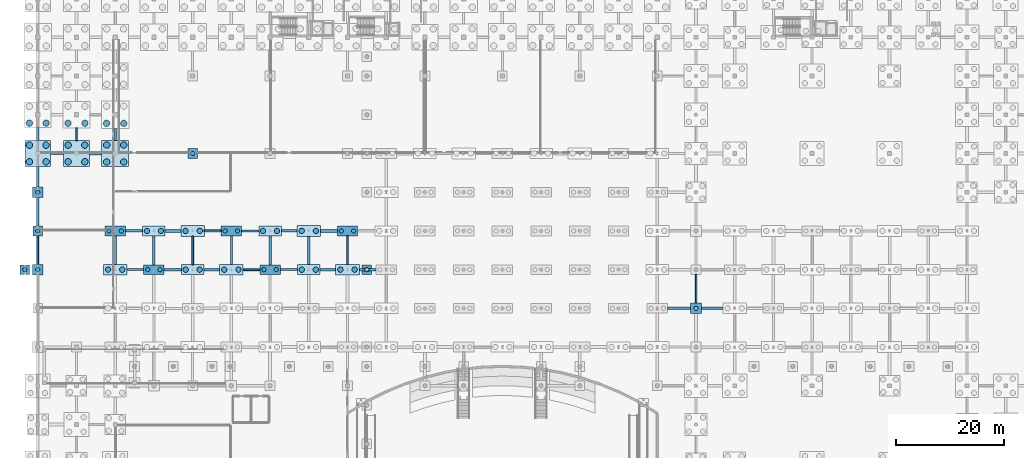
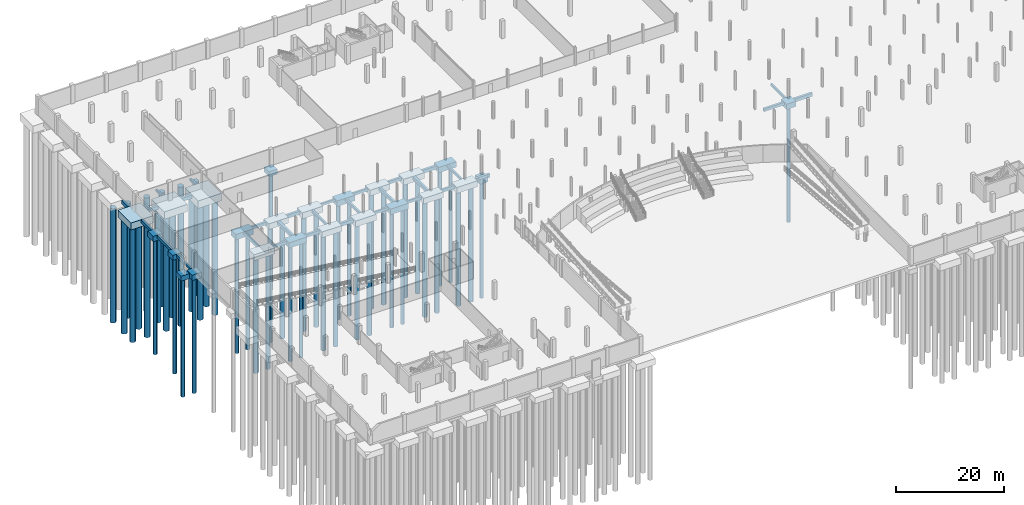
# One storey, part 6 of 56: 55 footings, 53 piles.
"""IFC4 building model written with IfcOpenShell, lengths in metres."""

from ifc_helpers import new_model, si_unit, direction, frame, origin, origin_2d, place, context, subcontext, project, spatial, rectangle, circle, extrude, material, material_profile, profile_set, type_object, element, save


model = new_model("IFC4")

# Units and contexts
model_context = context("Model", 3, precision=1e-05, world=origin(), true_north=direction((0.0, 1.0)))
body_context = subcontext(model_context, "Body", "Model", "MODEL_VIEW")
ifc_project = project(units=[si_unit("LENGTHUNIT", "METRE"), si_unit("AREAUNIT", "SQUARE_METRE"), si_unit("VOLUMEUNIT", "CUBIC_METRE"), si_unit("PLANEANGLEUNIT", "RADIAN"), si_unit("MASSUNIT", "GRAM", prefix="KILO")], contexts=[model_context])

# Site, building, storey
site_placement = place(None, origin())
site = spatial("IfcSite", under=ifc_project, at=site_placement, CompositionType="ELEMENT")
building_placement = place(site_placement, origin())
building = spatial("IfcBuilding", under=site, at=building_placement, Name="Suanplinth Sawtooth Commons", CompositionType="ELEMENT")
storey_placement = place(building_placement, frame((0.0, 0.0, -4.199951171875)))
storey = spatial("IfcBuildingStorey", under=building, at=storey_placement, Name="B1", CompositionType="ELEMENT", Elevation=-4.199951171875)

# Footings
ifc_material_1 = material(Name="Concrete C35/45", Category="concrete")
ifc_material_profile_1 = material_profile(ifc_material_1, rectangle(XDim=0.449951171875, YDim=0.64990234375, at=origin_2d()), Name="PC-GDR 450x650")
ifc_profile_set_1 = profile_set([ifc_material_profile_1], Name="Concrete C35/45")
footing_type_1 = type_object("IfcFootingType", Name="FB-01", PredefinedType="FOOTING_BEAM", material=ifc_profile_set_1)
footing_1_placement = place(storey_placement, frame((0.0, 80.199951171875, -0.824951171875), z_axis=(0.0, 1.0, 0.0), x_axis=(-1.0, 0.0, 0.0)))
element("IfcFooting", 1, at=footing_1_placement, inside=storey, type_object=footing_type_1, Name="Foundation Tie Beam 1/M-N", PredefinedType="FOOTING_BEAM", context=body_context, shape_type="SweptSolid", body=[
    extrude(rectangle(XDim=0.449951171875, YDim=0.64990234375, at=origin_2d()), origin(), (0.0, 0.0, 1.0), 3.800048828125),
])
footing_2_placement = place(storey_placement, frame((2.39990234375, 86.39990234375, -0.824951171875), z_axis=(1.0, 0.0, 0.0), x_axis=(0.0, 1.0, 0.0)))
element("IfcFooting", 2, at=footing_2_placement, inside=storey, type_object=footing_type_1, Name="Foundation Tie Beam 1-2/N", PredefinedType="FOOTING_BEAM", context=body_context, shape_type="SweptSolid", body=[
    extrude(rectangle(XDim=0.449951171875, YDim=0.64990234375, at=origin_2d()), origin(), (0.0, 0.0, 1.0), 2.35009765625),
])
footing_3_placement = place(storey_placement, frame((14.39990234375, 65.800048828125, -0.824951171875), z_axis=(0.0, 1.0, 0.0), x_axis=(-1.0, 0.0, 0.0)))
element("IfcFooting", 3, at=footing_3_placement, inside=storey, type_object=footing_type_1, Name="Foundation Tie Beam 3/K-L", PredefinedType="FOOTING_BEAM", context=body_context, shape_type="SweptSolid", body=[
    extrude(rectangle(XDim=0.449951171875, YDim=0.64990234375, at=origin_2d()), origin(), (0.0, 0.0, 1.0), 5.300048828125),
])
for number, where, z_axis, x_axis, name in (
    (4, (16.300048828125, 72.0, -0.824951171875), (1.0, 0.0, 0.0), (0.0, 1.0, 0.0), "Foundation Tie Beam 3-4/L"),
    (5, (23.5, 64.800048828125, -0.824951171875), (1.0, 0.0, 0.0), (0.0, 1.0, 0.0), "Foundation Tie Beam 4-5/K"),
):
    element("IfcFooting", number, at=place(storey_placement, frame(where, z_axis=z_axis, x_axis=x_axis)), inside=storey, type_object=footing_type_1, Name=name, PredefinedType="FOOTING_BEAM", context=body_context, shape_type="SweptSolid", body=[
        extrude(rectangle(XDim=0.449951171875, YDim=0.64990234375, at=origin_2d()), origin(), (0.0, 0.0, 1.0), 3.199951171875),
    ])
footing_4_placement = place(storey_placement, frame((43.199951171875, 65.699951171875, -0.824951171875), z_axis=(0.0, 1.0, 0.0), x_axis=(-1.0, 0.0, 0.0)))
element("IfcFooting", 6, at=footing_4_placement, inside=storey, type_object=footing_type_1, Name="Foundation Tie Beam 7/K-L", PredefinedType="FOOTING_BEAM", context=body_context, shape_type="SweptSolid", body=[
    extrude(rectangle(XDim=0.449951171875, YDim=0.64990234375, at=origin_2d()), origin(), (0.0, 0.0, 1.0), 5.35009765625),
])
for number, where, z_axis, x_axis, name in (
    (7, (45.300048828125, 72.0, -0.824951171875), (1.0, 0.0, 0.0), (0.0, 1.0, 0.0), "Foundation Tie Beam 7-8/L"),
    (8, (52.5, 64.800048828125, -0.824951171875), (1.0, 0.0, 0.0), (0.0, 1.0, 0.0), "Foundation Tie Beam 8-9/K"),
):
    element("IfcFooting", number, at=place(storey_placement, frame(where, z_axis=z_axis, x_axis=x_axis)), inside=storey, type_object=footing_type_1, Name=name, PredefinedType="FOOTING_BEAM", context=body_context, shape_type="SweptSolid", body=[
        extrude(rectangle(XDim=0.449951171875, YDim=0.64990234375, at=origin_2d()), origin(), (0.0, 0.0, 1.0), 2.89990234375),
    ])
footing_5_placement = place(storey_placement, frame((117.10009765625, 57.60009765625, -0.824951171875), z_axis=(1.0, 0.0, 0.0), x_axis=(0.0, 1.0, 0.0)))
element("IfcFooting", 9, at=footing_5_placement, inside=storey, type_object=footing_type_1, Name="Foundation Tie Beam 17-18/J", PredefinedType="FOOTING_BEAM", context=body_context, shape_type="SweptSolid", body=[
    extrude(rectangle(XDim=0.449951171875, YDim=0.64990234375, at=origin_2d()), origin(), (0.0, 0.0, 1.0), 4.2998046875),
])
ifc_material_profile_2 = material_profile(ifc_material_1, rectangle(XDim=0.5, YDim=0.75, at=origin_2d()), Name="RC-GDR 500x750")
ifc_profile_set_2 = profile_set([ifc_material_profile_2], Name="Concrete C35/45")
footing_type_2 = type_object("IfcFootingType", Name="FB-02", PredefinedType="FOOTING_BEAM", material=ifc_profile_set_2)
footing_6_placement = place(storey_placement, frame((0.0, 88.800048828125, -0.875), z_axis=(0.0, 1.0, 0.0), x_axis=(-1.0, 0.0, 0.0)))
element("IfcFooting", 10, at=footing_6_placement, inside=storey, type_object=footing_type_2, Name="Foundation Tie Beam 1/N-P", PredefinedType="FOOTING_BEAM", context=body_context, shape_type="SweptSolid", body=[
    extrude(rectangle(XDim=0.5, YDim=0.75, at=origin_2d()), origin(), (0.0, 0.0, 1.0), 2.39990234375),
])
footing_7_placement = place(storey_placement, frame((9.64990234375, 86.39990234375, -0.875), z_axis=(1.0, 0.0, 0.0), x_axis=(0.0, 1.0, 0.0)))
element("IfcFooting", 11, at=footing_7_placement, inside=storey, type_object=footing_type_2, Name="Foundation Tie Beam 2-3/N", PredefinedType="FOOTING_BEAM", context=body_context, shape_type="SweptSolid", body=[
    extrude(rectangle(XDim=0.5, YDim=0.75, at=origin_2d()), origin(), (0.0, 0.0, 1.0), 2.25),
])
footing_8_placement = place(storey_placement, frame((21.60009765625, 65.699951171875, -0.875), z_axis=(0.0, 1.0, 0.0), x_axis=(-1.0, 0.0, 0.0)))
element("IfcFooting", 12, at=footing_8_placement, inside=storey, type_object=footing_type_2, Name="Foundation Tie Beam 4/K-L", PredefinedType="FOOTING_BEAM", context=body_context, shape_type="SweptSolid", body=[
    extrude(rectangle(XDim=0.5, YDim=0.75, at=origin_2d()), origin(), (0.0, 0.0, 1.0), 5.35009765625),
])
for number, where, z_axis, x_axis, name in (
    (13, (23.699951171875, 72.0, -0.875), (1.0, 0.0, 0.0), (0.0, 1.0, 0.0), "Foundation Tie Beam 4-5/L"),
    (14, (30.89990234375, 64.800048828125, -0.875), (1.0, 0.0, 0.0), (0.0, 1.0, 0.0), "Foundation Tie Beam 5-6/K"),
):
    element("IfcFooting", number, at=place(storey_placement, frame(where, z_axis=z_axis, x_axis=x_axis)), inside=storey, type_object=footing_type_2, Name=name, PredefinedType="FOOTING_BEAM", context=body_context, shape_type="SweptSolid", body=[
        extrude(rectangle(XDim=0.5, YDim=0.75, at=origin_2d()), origin(), (0.0, 0.0, 1.0), 2.900146484375),
    ])
footing_9_placement = place(storey_placement, frame((50.39990234375, 65.75, -0.875), z_axis=(0.0, 1.0, 0.0), x_axis=(-1.0, 0.0, 0.0)))
element("IfcFooting", 15, at=footing_9_placement, inside=storey, type_object=footing_type_2, Name="Foundation Tie Beam 8/K-L", PredefinedType="FOOTING_BEAM", context=body_context, shape_type="SweptSolid", body=[
    extrude(rectangle(XDim=0.5, YDim=0.75, at=origin_2d()), origin(), (0.0, 0.0, 1.0), 5.25),
])
for number, where, z_axis, x_axis, name in (
    (16, (52.60009765625, 72.0, -0.875), (1.0, 0.0, 0.0), (0.0, 1.0, 0.0), "Foundation Tie Beam 8-9/L"),
    (17, (59.800048828125, 64.800048828125, -0.875), (1.0, 0.0, 0.0), (0.0, 1.0, 0.0), "Foundation Tie Beam 9-10/K"),
):
    element("IfcFooting", number, at=place(storey_placement, frame(where, z_axis=z_axis, x_axis=x_axis)), inside=storey, type_object=footing_type_2, Name=name, PredefinedType="FOOTING_BEAM", context=body_context, shape_type="SweptSolid", body=[
        extrude(rectangle(XDim=0.5, YDim=0.75, at=origin_2d()), origin(), (0.0, 0.0, 1.0), 3.099853515625),
    ])
footing_10_placement = place(storey_placement, frame((123.39990234375, 57.60009765625, -0.875), z_axis=(1.0, 0.0, 0.0), x_axis=(0.0, 1.0, 0.0)))
element("IfcFooting", 18, at=footing_10_placement, inside=storey, type_object=footing_type_2, Name="Foundation Tie Beam 18-19/J", PredefinedType="FOOTING_BEAM", context=body_context, shape_type="SweptSolid", body=[
    extrude(rectangle(XDim=0.5, YDim=0.75, at=origin_2d()), origin(), (0.0, 0.0, 1.0), 4.0),
])
ifc_material_profile_3 = material_profile(ifc_material_1, rectangle(XDim=0.35009765625, YDim=0.550048828125, at=origin_2d()), Name="PC-BM 350x550")
ifc_profile_set_3 = profile_set([ifc_material_profile_3], Name="Concrete C35/45")
footing_type_3 = type_object("IfcFootingType", Name="FB-03", PredefinedType="FOOTING_BEAM", material=ifc_profile_set_3)
footing_11_placement = place(storey_placement, frame((0.0, 65.800048828125, -0.775146484375), z_axis=(0.0, 1.0, 0.0), x_axis=(-1.0, 0.0, 0.0)))
element("IfcFooting", 19, at=footing_11_placement, inside=storey, type_object=footing_type_3, Name="Foundation Tie Beam 1/K-L", PredefinedType="FOOTING_BEAM", context=body_context, shape_type="SweptSolid", body=[
    extrude(rectangle(XDim=0.35009765625, YDim=0.550048828125, at=origin_2d()), origin(), (0.0, 0.0, 1.0), 5.300048828125),
])
footing_12_placement = place(storey_placement, frame((7.199951171875, 88.800048828125, -0.775146484375), z_axis=(0.0, 1.0, 0.0), x_axis=(-1.0, 0.0, 0.0)))
element("IfcFooting", 20, at=footing_12_placement, inside=storey, type_object=footing_type_3, Name="Foundation Tie Beam 2/N-P", PredefinedType="FOOTING_BEAM", context=body_context, shape_type="SweptSolid", body=[
    extrude(rectangle(XDim=0.35009765625, YDim=0.550048828125, at=origin_2d()), origin(), (0.0, 0.0, 1.0), 2.349853515625),
])
footing_13_placement = place(storey_placement, frame((28.800048828125, 65.75, -0.775146484375), z_axis=(0.0, 1.0, 0.0), x_axis=(-1.0, 0.0, 0.0)))
element("IfcFooting", 21, at=footing_13_placement, inside=storey, type_object=footing_type_3, Name="Foundation Tie Beam 5/K-L", PredefinedType="FOOTING_BEAM", context=body_context, shape_type="SweptSolid", body=[
    extrude(rectangle(XDim=0.35009765625, YDim=0.550048828125, at=origin_2d()), origin(), (0.0, 0.0, 1.0), 5.25),
])
for number, where, z_axis, x_axis, name in (
    (22, (31.0, 72.0, -0.775146484375), (1.0, 0.0, 0.0), (0.0, 1.0, 0.0), "Foundation Tie Beam 5-6/L"),
    (23, (38.199951171875, 64.800048828125, -0.775146484375), (1.0, 0.0, 0.0), (0.0, 1.0, 0.0), "Foundation Tie Beam 6-7/K"),
):
    element("IfcFooting", number, at=place(storey_placement, frame(where, z_axis=z_axis, x_axis=x_axis)), inside=storey, type_object=footing_type_3, Name=name, PredefinedType="FOOTING_BEAM", context=body_context, shape_type="SweptSolid", body=[
        extrude(rectangle(XDim=0.35009765625, YDim=0.550048828125, at=origin_2d()), origin(), (0.0, 0.0, 1.0), 3.10009765625),
    ])
footing_14_placement = place(storey_placement, frame((57.60009765625, 65.800048828125, -0.775146484375), z_axis=(0.0, 1.0, 0.0), x_axis=(-1.0, 0.0, 0.0)))
element("IfcFooting", 24, at=footing_14_placement, inside=storey, type_object=footing_type_3, Name="Foundation Tie Beam 9/K-L", PredefinedType="FOOTING_BEAM", context=body_context, shape_type="SweptSolid", body=[
    extrude(rectangle(XDim=0.35009765625, YDim=0.550048828125, at=origin_2d()), origin(), (0.0, 0.0, 1.0), 5.300048828125),
])
footing_15_placement = place(storey_placement, frame((122.39990234375, 58.60009765625, -0.775146484375), z_axis=(0.0, 1.0, 0.0), x_axis=(-1.0, 0.0, 0.0)))
element("IfcFooting", 25, at=footing_15_placement, inside=storey, type_object=footing_type_3, Name="Foundation Tie Beam 18/J-K", PredefinedType="FOOTING_BEAM", context=body_context, shape_type="SweptSolid", body=[
    extrude(rectangle(XDim=0.35009765625, YDim=0.550048828125, at=origin_2d()), origin(), (0.0, 0.0, 1.0), 5.2998046875),
])
ifc_material_profile_4 = material_profile(ifc_material_1, rectangle(XDim=0.39990234375, YDim=0.60009765625, at=origin_2d()), Name="PC-GDR 400x600")
ifc_profile_set_4 = profile_set([ifc_material_profile_4], Name="Concrete C35/45")
footing_type_4 = type_object("IfcFootingType", Name="FB-04", PredefinedType="FOOTING_BEAM", material=ifc_profile_set_4)
footing_16_placement = place(storey_placement, frame((0.0, 72.89990234375, -0.800048828125), z_axis=(0.0, 1.0, 0.0), x_axis=(-1.0, 0.0, 0.0)))
element("IfcFooting", 26, at=footing_16_placement, inside=storey, type_object=footing_type_4, Name="Foundation Tie Beam 1/L-M", PredefinedType="FOOTING_BEAM", context=body_context, shape_type="SweptSolid", body=[
    extrude(rectangle(XDim=0.39990234375, YDim=0.60009765625, at=origin_2d()), origin(), (0.0, 0.0, 1.0), 5.300048828125),
])
footing_17_placement = place(storey_placement, frame((16.60009765625, 64.800048828125, -0.800048828125), z_axis=(1.0, 0.0, 0.0), x_axis=(0.0, 1.0, 0.0)))
element("IfcFooting", 27, at=footing_17_placement, inside=storey, type_object=footing_type_4, Name="Foundation Tie Beam 3-4/K", PredefinedType="FOOTING_BEAM", context=body_context, shape_type="SweptSolid", body=[
    extrude(rectangle(XDim=0.39990234375, YDim=0.60009765625, at=origin_2d()), origin(), (0.0, 0.0, 1.0), 3.099853515625),
])
footing_18_placement = place(storey_placement, frame((14.39990234375, 88.85009765625, -0.800048828125), z_axis=(0.0, 1.0, 0.0), x_axis=(-1.0, 0.0, 0.0)))
element("IfcFooting", 28, at=footing_18_placement, inside=storey, type_object=footing_type_4, Name="Foundation Tie Beam 3/N-P", PredefinedType="FOOTING_BEAM", context=body_context, shape_type="SweptSolid", body=[
    extrude(rectangle(XDim=0.39990234375, YDim=0.60009765625, at=origin_2d()), origin(), (0.0, 0.0, 1.0), 2.199951171875),
])
footing_19_placement = place(storey_placement, frame((36.0, 65.800048828125, -0.800048828125), z_axis=(0.0, 1.0, 0.0), x_axis=(-1.0, 0.0, 0.0)))
element("IfcFooting", 29, at=footing_19_placement, inside=storey, type_object=footing_type_4, Name="Foundation Tie Beam 6/K-L", PredefinedType="FOOTING_BEAM", context=body_context, shape_type="SweptSolid", body=[
    extrude(rectangle(XDim=0.39990234375, YDim=0.60009765625, at=origin_2d()), origin(), (0.0, 0.0, 1.0), 5.300048828125),
])
footing_20_placement = place(storey_placement, frame((37.89990234375, 72.0, -0.800048828125), z_axis=(1.0, 0.0, 0.0), x_axis=(0.0, 1.0, 0.0)))
element("IfcFooting", 30, at=footing_20_placement, inside=storey, type_object=footing_type_4, Name="Foundation Tie Beam 6-7/L", PredefinedType="FOOTING_BEAM", context=body_context, shape_type="SweptSolid", body=[
    extrude(rectangle(XDim=0.39990234375, YDim=0.60009765625, at=origin_2d()), origin(), (0.0, 0.0, 1.0), 3.2001953125),
])
footing_21_placement = place(storey_placement, frame((45.10009765625, 64.800048828125, -0.800048828125), z_axis=(1.0, 0.0, 0.0), x_axis=(0.0, 1.0, 0.0)))
element("IfcFooting", 31, at=footing_21_placement, inside=storey, type_object=footing_type_4, Name="Foundation Tie Beam 7-8/K", PredefinedType="FOOTING_BEAM", context=body_context, shape_type="SweptSolid", body=[
    extrude(rectangle(XDim=0.39990234375, YDim=0.60009765625, at=origin_2d()), origin(), (0.0, 0.0, 1.0), 3.199951171875),
])
footing_type_5 = type_object("IfcFootingType", Name="FC-01", PredefinedType="PILE_CAP", material=ifc_material_1)
for number, where, z_axis, x_axis, name in (
    (32, (0.0, 72.0, -1.60009765625), (0.0, 0.0, 1.0), (1.0, 0.0, 0.0), "Pile Cap 1/L"),
    (33, (28.800048828125, 86.39990234375, -1.60009765625), (0.0, 0.0, 1.0), (1.0, 0.0, 0.0), "Pile Cap 5/N"),
    (34, (61.199951171875, 64.800048828125, -1.60009765625), (0.0, 0.0, 1.0), (1.0, 0.0, 0.0), "West Breezeway Cap W7"),
    (35, (-2.39990234375, 64.800048828125, -1.10009765625), (0.0, 0.0, 1.0), (1.0, 0.0, 0.0), "Threshold Ramp Toe Cap AR-03"),
):
    element("IfcFooting", number, at=place(storey_placement, frame(where, z_axis=z_axis, x_axis=x_axis)), inside=storey, type_object=footing_type_5, Name=name, PredefinedType="PILE_CAP", context=body_context, shape_type="SweptSolid", body=[
        extrude(rectangle(XDim=1.800048828125, YDim=1.800048828125, at=origin_2d()), origin(), (0.0, 0.0, 1.0), 1.10009765625),
    ])
footing_type_6 = type_object("IfcFootingType", Name="FC-02", PredefinedType="PILE_CAP", material=ifc_material_1)
for number, where, z_axis, x_axis, name in (
    (36, (0.0, 64.800048828125, -1.7001953125), (0.0, 0.0, 1.0), (1.0, 0.0, 0.0), "Pile Cap 1/K"),
    (37, (0.0, 79.199951171875, -1.7001953125), (0.0, 0.0, 1.0), (1.0, 0.0, 0.0), "Pile Cap 1/M"),
    (38, (122.39990234375, 57.60009765625, -1.7001953125), (0.0, 0.0, 1.0), (1.0, 0.0, 0.0), "Pile Cap 18/J"),
):
    element("IfcFooting", number, at=place(storey_placement, frame(where, z_axis=z_axis, x_axis=x_axis)), inside=storey, type_object=footing_type_6, Name=name, PredefinedType="PILE_CAP", context=body_context, shape_type="SweptSolid", body=[
        extrude(rectangle(XDim=2.0, YDim=2.0, at=origin_2d()), origin(), (0.0, 0.0, 1.0), 1.199951171875),
    ])
footing_type_7 = type_object("IfcFootingType", Name="FC-03", PredefinedType="PILE_CAP", material=ifc_material_1)
for number, where, z_axis, x_axis, name in (
    (39, (14.39990234375, 72.0, -1.75), (0.0, 0.0, 1.0), (1.0, 0.0, 0.0), "Pile Cap 3/L"),
    (40, (21.60009765625, 64.800048828125, -1.75), (0.0, 0.0, 1.0), (1.0, 0.0, 0.0), "Pile Cap 4/K"),
    (41, (36.0, 72.0, -1.75), (0.0, 0.0, 1.0), (1.0, 0.0, 0.0), "Pile Cap 6/L"),
    (42, (43.199951171875, 64.800048828125, -1.75), (0.0, 0.0, 1.0), (1.0, 0.0, 0.0), "Pile Cap 7/K"),
    (43, (57.60009765625, 72.0, -1.75), (0.0, 0.0, 1.0), (1.0, 0.0, 0.0), "Pile Cap 9/L"),
):
    element("IfcFooting", number, at=place(storey_placement, frame(where, z_axis=z_axis, x_axis=x_axis)), inside=storey, type_object=footing_type_7, Name=name, PredefinedType="PILE_CAP", context=body_context, shape_type="SweptSolid", body=[
        extrude(rectangle(XDim=3.800048828125, YDim=1.800048828125, at=origin_2d()), origin(), (0.0, 0.0, 1.0), 1.25),
    ])
footing_type_8 = type_object("IfcFootingType", Name="FC-04", PredefinedType="PILE_CAP", material=ifc_material_1)
for number, where, z_axis, x_axis, name in (
    (44, (21.60009765625, 72.0, -1.80029296875), (0.0, 0.0, 1.0), (1.0, 0.0, 0.0), "Pile Cap 4/L"),
    (45, (28.800048828125, 64.800048828125, -1.80029296875), (0.0, 0.0, 1.0), (1.0, 0.0, 0.0), "Pile Cap 5/K"),
    (46, (43.199951171875, 72.0, -1.80029296875), (0.0, 0.0, 1.0), (1.0, 0.0, 0.0), "Pile Cap 7/L"),
    (47, (50.39990234375, 64.800048828125, -1.80029296875), (0.0, 0.0, 1.0), (1.0, 0.0, 0.0), "Pile Cap 8/K"),
):
    element("IfcFooting", number, at=place(storey_placement, frame(where, z_axis=z_axis, x_axis=x_axis)), inside=storey, type_object=footing_type_8, Name=name, PredefinedType="PILE_CAP", context=body_context, shape_type="SweptSolid", body=[
        extrude(rectangle(XDim=4.199951171875, YDim=1.89990234375, at=origin_2d()), origin(), (0.0, 0.0, 1.0), 1.300048828125),
    ])
footing_type_9 = type_object("IfcFootingType", Name="FC-05", PredefinedType="PILE_CAP", material=ifc_material_1)
for number, where, z_axis, x_axis, name in (
    (48, (14.39990234375, 64.800048828125, -1.85009765625), (0.0, 0.0, 1.0), (1.0, 0.0, 0.0), "Pile Cap 3/K"),
    (49, (28.800048828125, 72.0, -1.85009765625), (0.0, 0.0, 1.0), (1.0, 0.0, 0.0), "Pile Cap 5/L"),
    (50, (36.0, 64.800048828125, -1.85009765625), (0.0, 0.0, 1.0), (1.0, 0.0, 0.0), "Pile Cap 6/K"),
    (51, (50.39990234375, 72.0, -1.85009765625), (0.0, 0.0, 1.0), (1.0, 0.0, 0.0), "Pile Cap 8/L"),
    (52, (57.60009765625, 64.800048828125, -1.85009765625), (0.0, 0.0, 1.0), (1.0, 0.0, 0.0), "Pile Cap 9/K"),
):
    element("IfcFooting", number, at=place(storey_placement, frame(where, z_axis=z_axis, x_axis=x_axis)), inside=storey, type_object=footing_type_9, Name=name, PredefinedType="PILE_CAP", context=body_context, shape_type="SweptSolid", body=[
        extrude(rectangle(XDim=4.39990234375, YDim=2.0, at=origin_2d()), origin(), (0.0, 0.0, 1.0), 1.35009765625),
    ])
footing_type_10 = type_object("IfcFootingType", Name="FC-11", PredefinedType="PILE_CAP", material=ifc_material_1)
footing_22_placement = place(storey_placement, frame((0.0, 86.39990234375, -2.10009765625), z_axis=(0.0, 0.0, 1.0), x_axis=(1.0, 0.0, 0.0)))
element("IfcFooting", 53, at=footing_22_placement, inside=storey, type_object=footing_type_10, Name="Pile Cap 1/N", PredefinedType="PILE_CAP", context=body_context, shape_type="SweptSolid", body=[
    extrude(rectangle(XDim=4.800048828125, YDim=4.800048828125, at=origin_2d()), origin(), (0.0, 0.0, 1.0), 1.60009765625),
])
footing_type_11 = type_object("IfcFootingType", Name="FC-12", PredefinedType="PILE_CAP", material=ifc_material_1)
footing_23_placement = place(storey_placement, frame((7.199951171875, 86.39990234375, -2.14990234375), z_axis=(0.0, 0.0, 1.0), x_axis=(1.0, 0.0, 0.0)))
element("IfcFooting", 54, at=footing_23_placement, inside=storey, type_object=footing_type_11, Name="Pile Cap 2/N", PredefinedType="PILE_CAP", context=body_context, shape_type="SweptSolid", body=[
    extrude(rectangle(XDim=4.89990234375, YDim=4.800048828125, at=origin_2d()), origin(), (0.0, 0.0, 1.0), 1.64990234375),
])
footing_type_12 = type_object("IfcFootingType", Name="FC-13", PredefinedType="PILE_CAP", material=ifc_material_1)
footing_24_placement = place(storey_placement, frame((14.39990234375, 86.39990234375, -2.2001953125), z_axis=(0.0, 0.0, 1.0), x_axis=(1.0, 0.0, 0.0)))
element("IfcFooting", 55, at=footing_24_placement, inside=storey, type_object=footing_type_12, Name="Pile Cap 3/N", PredefinedType="PILE_CAP", context=body_context, shape_type="SweptSolid", body=[
    extrude(rectangle(XDim=5.0, YDim=4.89990234375, at=origin_2d()), origin(), (0.0, 0.0, 1.0), 1.699951171875),
])

# Piles
ifc_material_2 = material(Name="Concrete C32/40", Category="concrete")
ifc_material_profile_5 = material_profile(ifc_material_2, circle(Radius=0.39990234375, at=origin_2d()), Name="PILE D800")
ifc_profile_set_5 = profile_set([ifc_material_profile_5], Name="Concrete C32/40")
pile_type_1 = type_object("IfcPileType", Name="P-01", PredefinedType="BORED", material=ifc_profile_set_5)
pile_1_placement = place(storey_placement, frame((0.0, 64.800048828125, -1.60009765625), z_axis=(0.0, 0.0, -1.0), x_axis=(1.0, 0.0, 0.0)))
element("IfcPile", 56, at=pile_1_placement, inside=storey, type_object=pile_type_1, Name="Bored Pile 1/K-1", PredefinedType="BORED", context=body_context, shape_type="SweptSolid", body=[
    extrude(circle(Radius=0.39990234375, at=origin_2d()), origin(), (0.0, 0.0, 1.0), 26.199951171875),
])
pile_2_placement = place(storey_placement, frame((0.0, 72.0, -1.5), z_axis=(0.0, 0.0, -1.0), x_axis=(1.0, 0.0, 0.0)))
element("IfcPile", 57, at=pile_2_placement, inside=storey, type_object=pile_type_1, Name="Bored Pile 1/L-1", PredefinedType="BORED", context=body_context, shape_type="SweptSolid", body=[
    extrude(circle(Radius=0.39990234375, at=origin_2d()), origin(), (0.0, 0.0, 1.0), 26.300048828125),
])
pile_3_placement = place(storey_placement, frame((0.0, 79.199951171875, -1.60009765625), z_axis=(0.0, 0.0, -1.0), x_axis=(1.0, 0.0, 0.0)))
element("IfcPile", 58, at=pile_3_placement, inside=storey, type_object=pile_type_1, Name="Bored Pile 1/M-1", PredefinedType="BORED", context=body_context, shape_type="SweptSolid", body=[
    extrude(circle(Radius=0.39990234375, at=origin_2d()), origin(), (0.0, 0.0, 1.0), 26.199951171875),
])
for number, where, z_axis, x_axis, name in (
    (59, (13.25, 72.0, -1.650146484375), (0.0, 0.0, -1.0), (1.0, 0.0, 0.0), "Bored Pile 3/L-1"),
    (60, (15.550048828125, 72.0, -1.650146484375), (0.0, 0.0, -1.0), (1.0, 0.0, 0.0), "Bored Pile 3/L-2"),
    (61, (20.449951171875, 64.800048828125, -1.650146484375), (0.0, 0.0, -1.0), (1.0, 0.0, 0.0), "Bored Pile 4/K-1"),
    (62, (22.75, 64.800048828125, -1.650146484375), (0.0, 0.0, -1.0), (1.0, 0.0, 0.0), "Bored Pile 4/K-2"),
):
    element("IfcPile", number, at=place(storey_placement, frame(where, z_axis=z_axis, x_axis=x_axis)), inside=storey, type_object=pile_type_1, Name=name, PredefinedType="BORED", context=body_context, shape_type="SweptSolid", body=[
        extrude(circle(Radius=0.39990234375, at=origin_2d()), origin(), (0.0, 0.0, 1.0), 26.14990234375),
    ])
pile_4_placement = place(storey_placement, frame((28.800048828125, 86.39990234375, -1.5), z_axis=(0.0, 0.0, -1.0), x_axis=(1.0, 0.0, 0.0)))
element("IfcPile", 63, at=pile_4_placement, inside=storey, type_object=pile_type_1, Name="Bored Pile 5/N-1", PredefinedType="BORED", context=body_context, shape_type="SweptSolid", body=[
    extrude(circle(Radius=0.39990234375, at=origin_2d()), origin(), (0.0, 0.0, 1.0), 26.300048828125),
])
for number, where, z_axis, x_axis, name in (
    (64, (34.85009765625, 72.0, -1.650146484375), (0.0, 0.0, -1.0), (1.0, 0.0, 0.0), "Bored Pile 6/L-1"),
    (65, (37.14990234375, 72.0, -1.650146484375), (0.0, 0.0, -1.0), (1.0, 0.0, 0.0), "Bored Pile 6/L-2"),
    (66, (42.050048828125, 64.800048828125, -1.650146484375), (0.0, 0.0, -1.0), (1.0, 0.0, 0.0), "Bored Pile 7/K-1"),
    (67, (44.35009765625, 64.800048828125, -1.650146484375), (0.0, 0.0, -1.0), (1.0, 0.0, 0.0), "Bored Pile 7/K-2"),
    (68, (56.449951171875, 72.0, -1.650146484375), (0.0, 0.0, -1.0), (1.0, 0.0, 0.0), "Bored Pile 9/L-1"),
    (69, (58.75, 72.0, -1.650146484375), (0.0, 0.0, -1.0), (1.0, 0.0, 0.0), "Bored Pile 9/L-2"),
):
    element("IfcPile", number, at=place(storey_placement, frame(where, z_axis=z_axis, x_axis=x_axis)), inside=storey, type_object=pile_type_1, Name=name, PredefinedType="BORED", context=body_context, shape_type="SweptSolid", body=[
        extrude(circle(Radius=0.39990234375, at=origin_2d()), origin(), (0.0, 0.0, 1.0), 26.14990234375),
    ])
pile_5_placement = place(storey_placement, frame((122.39990234375, 57.60009765625, -1.60009765625), z_axis=(0.0, 0.0, -1.0), x_axis=(1.0, 0.0, 0.0)))
element("IfcPile", 70, at=pile_5_placement, inside=storey, type_object=pile_type_1, Name="Bored Pile 18/J-1", PredefinedType="BORED", context=body_context, shape_type="SweptSolid", body=[
    extrude(circle(Radius=0.39990234375, at=origin_2d()), origin(), (0.0, 0.0, 1.0), 26.199951171875),
])
pile_6_placement = place(storey_placement, frame((61.199951171875, 64.800048828125, -1.5), z_axis=(0.0, 0.0, -1.0), x_axis=(1.0, 0.0, 0.0)))
element("IfcPile", 71, at=pile_6_placement, inside=storey, type_object=pile_type_1, Name="West Breezeway Pile W7", PredefinedType="BORED", context=body_context, shape_type="SweptSolid", body=[
    extrude(circle(Radius=0.39990234375, at=origin_2d()), origin(), (0.0, 0.0, 1.0), 26.300048828125),
])
pile_7_placement = place(storey_placement, frame((-2.39990234375, 64.800048828125, -1.0), z_axis=(0.0, 0.0, -1.0), x_axis=(1.0, 0.0, 0.0)))
element("IfcPile", 72, at=pile_7_placement, inside=storey, type_object=pile_type_1, Name="Threshold Ramp Toe Pile AR-03", PredefinedType="BORED", context=body_context, shape_type="SweptSolid", body=[
    extrude(circle(Radius=0.39990234375, at=origin_2d()), origin(), (0.0, 0.0, 1.0), 26.800048828125),
])
ifc_material_profile_6 = material_profile(ifc_material_2, circle(Radius=0.5, at=origin_2d()), Name="PILE D1000")
ifc_profile_set_6 = profile_set([ifc_material_profile_6], Name="Concrete C32/40")
pile_type_2 = type_object("IfcPileType", Name="P-02", PredefinedType="BORED", material=ifc_profile_set_6)
for number, where, z_axis, x_axis, name in (
    (73, (13.080078125, 64.800048828125, -1.75), (0.0, 0.0, -1.0), (1.0, 0.0, 0.0), "Bored Pile 3/K-1"),
    (74, (15.719970703125, 64.800048828125, -1.75), (0.0, 0.0, -1.0), (1.0, 0.0, 0.0), "Bored Pile 3/K-2"),
):
    element("IfcPile", number, at=place(storey_placement, frame(where, z_axis=z_axis, x_axis=x_axis)), inside=storey, type_object=pile_type_2, Name=name, PredefinedType="BORED", context=body_context, shape_type="SweptSolid", body=[
        extrude(circle(Radius=0.5, at=origin_2d()), origin(), (0.0, 0.0, 1.0), 26.050048828125),
    ])
for number, where, z_axis, x_axis, name in (
    (75, (20.300048828125, 72.0, -1.699951171875), (0.0, 0.0, -1.0), (1.0, 0.0, 0.0), "Bored Pile 4/L-1"),
    (76, (22.89990234375, 72.0, -1.699951171875), (0.0, 0.0, -1.0), (1.0, 0.0, 0.0), "Bored Pile 4/L-2"),
    (77, (27.5, 64.800048828125, -1.699951171875), (0.0, 0.0, -1.0), (1.0, 0.0, 0.0), "Bored Pile 5/K-1"),
    (78, (30.10009765625, 64.800048828125, -1.699951171875), (0.0, 0.0, -1.0), (1.0, 0.0, 0.0), "Bored Pile 5/K-2"),
):
    element("IfcPile", number, at=place(storey_placement, frame(where, z_axis=z_axis, x_axis=x_axis)), inside=storey, type_object=pile_type_2, Name=name, PredefinedType="BORED", context=body_context, shape_type="SweptSolid", body=[
        extrude(circle(Radius=0.5, at=origin_2d()), origin(), (0.0, 0.0, 1.0), 26.10009765625),
    ])
for number, where, z_axis, x_axis, name in (
    (79, (27.47998046875, 72.0, -1.75), (0.0, 0.0, -1.0), (1.0, 0.0, 0.0), "Bored Pile 5/L-1"),
    (80, (30.1201171875, 72.0, -1.75), (0.0, 0.0, -1.0), (1.0, 0.0, 0.0), "Bored Pile 5/L-2"),
    (81, (34.679931640625, 64.800048828125, -1.75), (0.0, 0.0, -1.0), (1.0, 0.0, 0.0), "Bored Pile 6/K-1"),
    (82, (37.320068359375, 64.800048828125, -1.75), (0.0, 0.0, -1.0), (1.0, 0.0, 0.0), "Bored Pile 6/K-2"),
):
    element("IfcPile", number, at=place(storey_placement, frame(where, z_axis=z_axis, x_axis=x_axis)), inside=storey, type_object=pile_type_2, Name=name, PredefinedType="BORED", context=body_context, shape_type="SweptSolid", body=[
        extrude(circle(Radius=0.5, at=origin_2d()), origin(), (0.0, 0.0, 1.0), 26.050048828125),
    ])
for number, where, z_axis, x_axis, name in (
    (83, (41.89990234375, 72.0, -1.699951171875), (0.0, 0.0, -1.0), (1.0, 0.0, 0.0), "Bored Pile 7/L-1"),
    (84, (44.5, 72.0, -1.699951171875), (0.0, 0.0, -1.0), (1.0, 0.0, 0.0), "Bored Pile 7/L-2"),
    (85, (49.10009765625, 64.800048828125, -1.699951171875), (0.0, 0.0, -1.0), (1.0, 0.0, 0.0), "Bored Pile 8/K-1"),
    (86, (51.699951171875, 64.800048828125, -1.699951171875), (0.0, 0.0, -1.0), (1.0, 0.0, 0.0), "Bored Pile 8/K-2"),
):
    element("IfcPile", number, at=place(storey_placement, frame(where, z_axis=z_axis, x_axis=x_axis)), inside=storey, type_object=pile_type_2, Name=name, PredefinedType="BORED", context=body_context, shape_type="SweptSolid", body=[
        extrude(circle(Radius=0.5, at=origin_2d()), origin(), (0.0, 0.0, 1.0), 26.10009765625),
    ])
for number, where, z_axis, x_axis, name in (
    (87, (49.080078125, 72.0, -1.75), (0.0, 0.0, -1.0), (1.0, 0.0, 0.0), "Bored Pile 8/L-1"),
    (88, (51.719970703125, 72.0, -1.75), (0.0, 0.0, -1.0), (1.0, 0.0, 0.0), "Bored Pile 8/L-2"),
    (89, (56.280029296875, 64.800048828125, -1.75), (0.0, 0.0, -1.0), (1.0, 0.0, 0.0), "Bored Pile 9/K-1"),
    (90, (58.919921875, 64.800048828125, -1.75), (0.0, 0.0, -1.0), (1.0, 0.0, 0.0), "Bored Pile 9/K-2"),
):
    element("IfcPile", number, at=place(storey_placement, frame(where, z_axis=z_axis, x_axis=x_axis)), inside=storey, type_object=pile_type_2, Name=name, PredefinedType="BORED", context=body_context, shape_type="SweptSolid", body=[
        extrude(circle(Radius=0.5, at=origin_2d()), origin(), (0.0, 0.0, 1.0), 26.050048828125),
    ])
ifc_material_profile_7 = material_profile(ifc_material_2, circle(Radius=0.60009765625, at=origin_2d()), Name="PILE D1200")
ifc_profile_set_7 = profile_set([ifc_material_profile_7], Name="Concrete C32/40")
pile_type_3 = type_object("IfcPileType", Name="P-03", PredefinedType="BORED", material=ifc_profile_set_7)
for number, where, z_axis, x_axis, name in (
    (91, (-1.550048828125, 84.85009765625, -2.0), (0.0, 0.0, -1.0), (1.0, 0.0, 0.0), "Bored Pile 1/N-1"),
    (92, (1.550048828125, 84.85009765625, -2.0), (0.0, 0.0, -1.0), (1.0, 0.0, 0.0), "Bored Pile 1/N-2"),
    (93, (-1.550048828125, 87.949951171875, -2.0), (0.0, 0.0, -1.0), (1.0, 0.0, 0.0), "Bored Pile 1/N-3"),
    (94, (1.550048828125, 87.949951171875, -2.0), (0.0, 0.0, -1.0), (1.0, 0.0, 0.0), "Bored Pile 1/N-4"),
):
    element("IfcPile", number, at=place(storey_placement, frame(where, z_axis=z_axis, x_axis=x_axis)), inside=storey, type_object=pile_type_3, Name=name, PredefinedType="BORED", context=body_context, shape_type="SweptSolid", body=[
        extrude(circle(Radius=0.60009765625, at=origin_2d()), origin(), (0.0, 0.0, 1.0), 25.800048828125),
    ])
for number, where, z_axis, x_axis, name in (
    (95, (-1.550048828125, 92.050048828125, -2.050048828125), (0.0, 0.0, -1.0), (1.0, 0.0, 0.0), "Bored Pile 1/P-1"),
    (96, (1.550048828125, 92.050048828125, -2.050048828125), (0.0, 0.0, -1.0), (1.0, 0.0, 0.0), "Bored Pile 1/P-2"),
    (97, (5.64990234375, 84.85009765625, -2.050048828125), (0.0, 0.0, -1.0), (1.0, 0.0, 0.0), "Bored Pile 2/N-1"),
    (98, (8.75, 84.85009765625, -2.050048828125), (0.0, 0.0, -1.0), (1.0, 0.0, 0.0), "Bored Pile 2/N-2"),
    (99, (5.64990234375, 87.949951171875, -2.050048828125), (0.0, 0.0, -1.0), (1.0, 0.0, 0.0), "Bored Pile 2/N-3"),
    (100, (8.75, 87.949951171875, -2.050048828125), (0.0, 0.0, -1.0), (1.0, 0.0, 0.0), "Bored Pile 2/N-4"),
):
    element("IfcPile", number, at=place(storey_placement, frame(where, z_axis=z_axis, x_axis=x_axis)), inside=storey, type_object=pile_type_3, Name=name, PredefinedType="BORED", context=body_context, shape_type="SweptSolid", body=[
        extrude(circle(Radius=0.60009765625, at=origin_2d()), origin(), (0.0, 0.0, 1.0), 25.75),
    ])
for number, where, z_axis, x_axis, name in (
    (101, (5.6201171875, 92.02001953125, -2.10009765625), (0.0, 0.0, -1.0), (1.0, 0.0, 0.0), "Bored Pile 2/P-1"),
    (102, (8.780029296875, 92.02001953125, -2.10009765625), (0.0, 0.0, -1.0), (1.0, 0.0, 0.0), "Bored Pile 2/P-2"),
    (103, (12.820068359375, 84.820068359375, -2.10009765625), (0.0, 0.0, -1.0), (1.0, 0.0, 0.0), "Bored Pile 3/N-1"),
    (104, (15.97998046875, 84.820068359375, -2.10009765625), (0.0, 0.0, -1.0), (1.0, 0.0, 0.0), "Bored Pile 3/N-2"),
    (105, (12.820068359375, 87.97998046875, -2.10009765625), (0.0, 0.0, -1.0), (1.0, 0.0, 0.0), "Bored Pile 3/N-3"),
    (106, (15.97998046875, 87.97998046875, -2.10009765625), (0.0, 0.0, -1.0), (1.0, 0.0, 0.0), "Bored Pile 3/N-4"),
):
    element("IfcPile", number, at=place(storey_placement, frame(where, z_axis=z_axis, x_axis=x_axis)), inside=storey, type_object=pile_type_3, Name=name, PredefinedType="BORED", context=body_context, shape_type="SweptSolid", body=[
        extrude(circle(Radius=0.60009765625, at=origin_2d()), origin(), (0.0, 0.0, 1.0), 25.699951171875),
    ])
for number, where, z_axis, x_axis, name in (
    (107, (12.800048828125, 92.0, -2.199951171875), (0.0, 0.0, -1.0), (1.0, 0.0, 0.0), "Bored Pile 3/P-1"),
    (108, (16.0, 92.0, -2.199951171875), (0.0, 0.0, -1.0), (1.0, 0.0, 0.0), "Bored Pile 3/P-2"),
):
    element("IfcPile", number, at=place(storey_placement, frame(where, z_axis=z_axis, x_axis=x_axis)), inside=storey, type_object=pile_type_3, Name=name, PredefinedType="BORED", context=body_context, shape_type="SweptSolid", body=[
        extrude(circle(Radius=0.60009765625, at=origin_2d()), origin(), (0.0, 0.0, 1.0), 25.60009765625),
    ])

save(model, "model.ifc")
